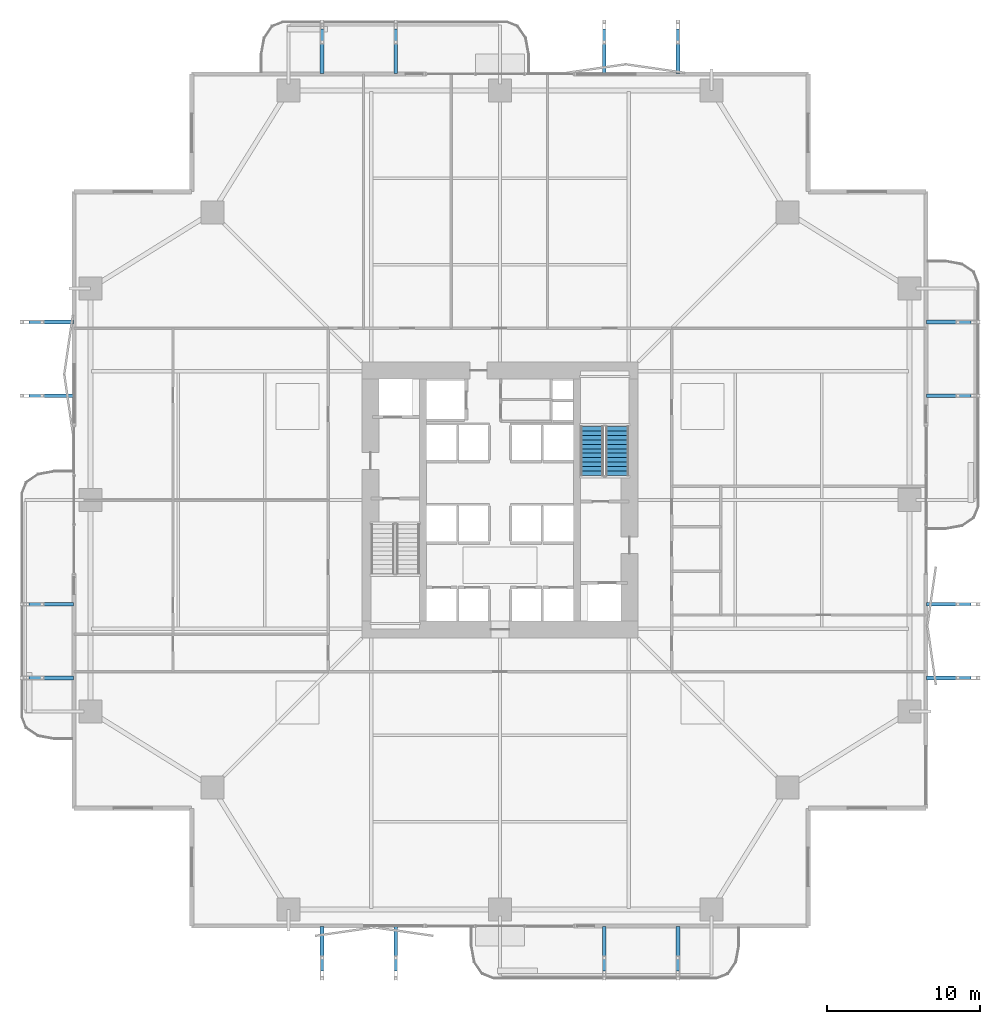
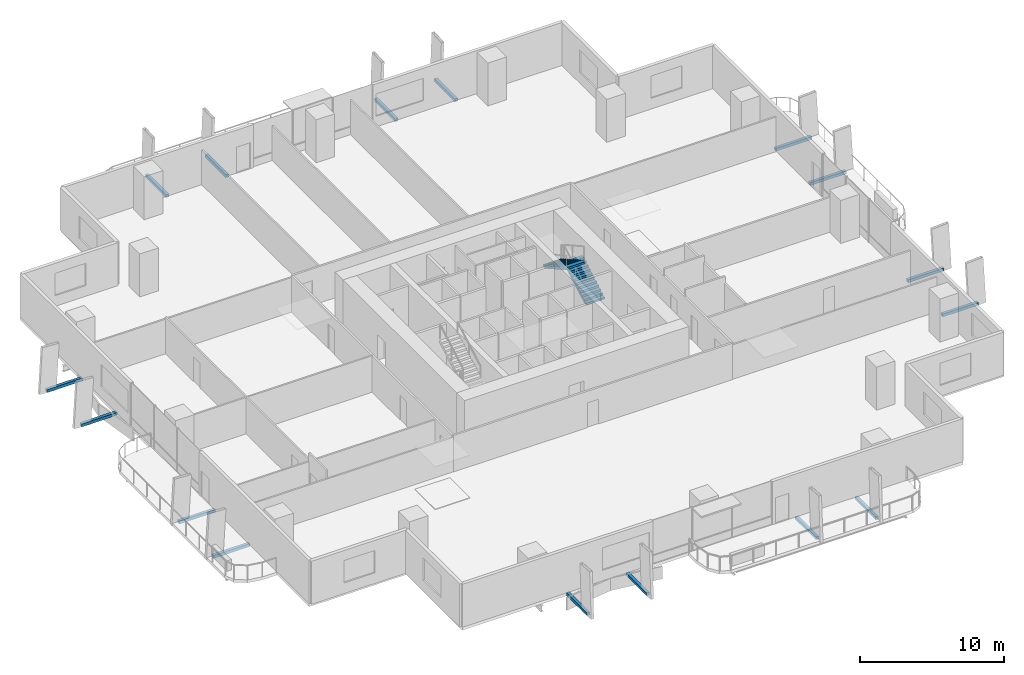
# One storey, part 20 of 24: 16 discrete accessories, 2 stair flights, 1 element without a shape of its own.
"""IFC4 building model written with IfcOpenShell, lengths in metres."""

from ifc_helpers import new_model, si_unit, direction, frame, origin, origin_2d, place, context, subcontext, project, spatial, polyline, rectangle, outline, extrude, material, layer, layer_set, type_object, element, aggregate, save


model = new_model("IFC4")

# Units and contexts
model_context = context("Model", 3, precision=1e-05, world=origin(), true_north=direction((0.0, 1.0)))
body_context = subcontext(model_context, "Body", "Model", "MODEL_VIEW")
ifc_project = project(units=[si_unit("LENGTHUNIT", "METRE"), si_unit("AREAUNIT", "SQUARE_METRE"), si_unit("VOLUMEUNIT", "CUBIC_METRE"), si_unit("PLANEANGLEUNIT", "RADIAN"), si_unit("MASSUNIT", "GRAM", prefix="KILO")], contexts=[model_context])

# Site, building, storey
site_placement = place(None, origin())
site = spatial("IfcSite", under=ifc_project, at=site_placement, CompositionType="ELEMENT")
building_placement = place(site_placement, origin())
building = spatial("IfcBuilding", under=site, at=building_placement, Name="Belovzor Exchange Tower", CompositionType="ELEMENT")
storey_placement = place(building_placement, frame((0.0, 0.0, 45.60009765625)))
storey = spatial("IfcBuildingStorey", under=building, at=storey_placement, Name="L10", CompositionType="ELEMENT", Elevation=45.60009765625)

# Stair, stair flights
ifc_material_1 = material(Name="Concrete C40/50", Category="concrete")
stair_type = type_object("IfcStairType", Name="Reinforced Concrete Dogleg Escape Stair 1350", PredefinedType="HALF_TURN_STAIR", material=ifc_material_1)
stair_placement = place(storey_placement, origin())
stair = element("IfcStair", 1, at=stair_placement, inside=storey, type_object=stair_type, Name="L10 ST-2", PredefinedType="HALF_TURN_STAIR")
ifc_material_2 = material(Name="Concrete C40/50", Category="concrete")
stair_flight_type = type_object("IfcStairFlightType", Name="Reinforced Concrete Stair Flight 1350", PredefinedType="STRAIGHT", material=ifc_material_2)
stair_flight_1_placement = place(storey_placement, frame((36.449951171875, 30.39990234375, 0.0), z_axis=(0.0, 0.0, 1.0), x_axis=(0.0, 1.0, 0.0)))
stair_flight_1 = element("IfcStairFlight", 2, at=stair_flight_1_placement, type_object=stair_flight_type, Name="ST-2 flight 1", NumberOfRisers=12, NumberOfTreads=11, PredefinedType="STRAIGHT", RiserHeight=0.1625, TreadLength=0.29, context=body_context, shape_type="SweptSolid", body=[
    extrude(outline(polyline([(0.0, 0.0), (0.0, 0.16259765625), (0.2900390625, 0.16259765625), (0.2900390625, 0.324951171875), (0.580078125, 0.324951171875), (0.580078125, 0.487548828125), (0.8701171875, 0.487548828125), (0.8701171875, 0.64990234375), (1.159912109375, 0.64990234375), (1.159912109375, 0.8125), (1.449951171875, 0.8125), (1.449951171875, 0.97509765625), (1.739990234375, 0.97509765625), (1.739990234375, 1.137451171875), (2.030029296875, 1.137451171875), (2.030029296875, 1.300048828125), (2.320068359375, 1.300048828125), (2.320068359375, 1.46240234375), (2.610107421875, 1.46240234375), (2.610107421875, 1.625), (2.89990234375, 1.625), (2.89990234375, 1.78759765625), (3.18994140625, 1.78759765625), (3.18994140625, 1.949951171875), (3.18994140625, 1.61572265625), (0.306640625, 0.0), (0.0, 0.0)])), frame((0.0, 0.75, 0.0), z_axis=(0.0, -1.0, 0.0), x_axis=(1.0, 0.0, 0.0)), (0.0, 0.0, 1.0), 1.5),
])
stair_flight_2_placement = place(storey_placement, frame((34.800048828125, 33.590087890625, 1.949951171875), z_axis=(0.0, 0.0, 1.0), x_axis=(0.0, -1.0, 0.0)))
stair_flight_2 = element("IfcStairFlight", 3, at=stair_flight_2_placement, type_object=stair_flight_type, Name="ST-2 flight 2", NumberOfRisers=12, NumberOfTreads=11, PredefinedType="STRAIGHT", RiserHeight=0.1625, TreadLength=0.29, context=body_context, shape_type="SweptSolid", body=[
    extrude(outline(polyline([(0.0, 0.0), (0.0, 0.16259765625), (0.2900390625, 0.16259765625), (0.2900390625, 0.324951171875), (0.580078125, 0.324951171875), (0.580078125, 0.487548828125), (0.8701171875, 0.487548828125), (0.8701171875, 0.64990234375), (1.159912109375, 0.64990234375), (1.159912109375, 0.8125), (1.449951171875, 0.8125), (1.449951171875, 0.97509765625), (1.739990234375, 0.97509765625), (1.739990234375, 1.137451171875), (2.030029296875, 1.137451171875), (2.030029296875, 1.300048828125), (2.320068359375, 1.300048828125), (2.320068359375, 1.46240234375), (2.610107421875, 1.46240234375), (2.610107421875, 1.625), (2.89990234375, 1.625), (2.89990234375, 1.78759765625), (3.18994140625, 1.78759765625), (3.18994140625, 1.949951171875), (3.18994140625, 1.61572265625), (0.306640625, 0.0), (0.0, 0.0)])), frame((0.0, 0.75, 0.0), z_axis=(0.0, -1.0, 0.0), x_axis=(1.0, 0.0, 0.0)), (0.0, 0.0, 1.0), 1.5),
])
aggregate(stair, [stair_flight_1, stair_flight_2])

# Discrete accessories
ifc_material_3 = material(Name="Stainless Steel Grade 316", Category="steel")
ifc_layer = layer(ifc_material_3, 0.179931640625)
ifc_layer_set = layer_set([ifc_layer], Name="Stainless Steel Grade 316")
discrete_accessory_type = type_object("IfcDiscreteAccessoryType", Name="Stainless Steel Facade Outrigger Fixing Bracket", PredefinedType="BRACKET", material=ifc_layer_set)
for number, where, z_axis, x_axis, name in (
    (4, (17.199951171875, -0.4609375, -0.2451171875), (0.0, 0.0, 1.0), (0.0, 1.0, 0.0), "BRK-FIN1 Sweeping Fin Outrigger Bracket L10 S1"),
    (5, (17.199951171875, 58.06005859375, -0.2451171875), (0.0, 0.0, 1.0), (0.0, 1.0, 0.0), "BRK-FIN1 Sweeping Fin Outrigger Bracket L10 N1"),
    (6, (-0.4609375, 17.199951171875, -0.2451171875), (0.0, 0.0, 1.0), (1.0, 0.0, 0.0), "BRK-FIN1 Sweeping Fin Outrigger Bracket L10 W1"),
    (7, (58.06005859375, 17.199951171875, -0.2451171875), (0.0, 0.0, 1.0), (1.0, 0.0, 0.0), "BRK-FIN1 Sweeping Fin Outrigger Bracket L10 E1"),
    (8, (22.0, -0.4609375, -0.2451171875), (0.0, 0.0, 1.0), (0.0, 1.0, 0.0), "BRK-FIN1 Sweeping Fin Outrigger Bracket L10 S2"),
    (9, (22.0, 58.06005859375, -0.2451171875), (0.0, 0.0, 1.0), (0.0, 1.0, 0.0), "BRK-FIN1 Sweeping Fin Outrigger Bracket L10 N2"),
    (10, (-0.4609375, 22.0, -0.2451171875), (0.0, 0.0, 1.0), (1.0, 0.0, 0.0), "BRK-FIN1 Sweeping Fin Outrigger Bracket L10 W2"),
    (11, (58.06005859375, 22.0, -0.2451171875), (0.0, 0.0, 1.0), (1.0, 0.0, 0.0), "BRK-FIN1 Sweeping Fin Outrigger Bracket L10 E2"),
    (12, (35.60009765625, -0.4609375, -0.2451171875), (0.0, 0.0, 1.0), (0.0, 1.0, 0.0), "BRK-FIN1 Sweeping Fin Outrigger Bracket L10 S3"),
    (13, (35.60009765625, 58.06005859375, -0.2451171875), (0.0, 0.0, 1.0), (0.0, 1.0, 0.0), "BRK-FIN1 Sweeping Fin Outrigger Bracket L10 N3"),
    (14, (-0.4609375, 35.60009765625, -0.2451171875), (0.0, 0.0, 1.0), (1.0, 0.0, 0.0), "BRK-FIN1 Sweeping Fin Outrigger Bracket L10 W3"),
    (15, (58.06005859375, 35.60009765625, -0.2451171875), (0.0, 0.0, 1.0), (1.0, 0.0, 0.0), "BRK-FIN1 Sweeping Fin Outrigger Bracket L10 E3"),
    (16, (40.39990234375, -0.4609375, -0.2451171875), (0.0, 0.0, 1.0), (0.0, 1.0, 0.0), "BRK-FIN1 Sweeping Fin Outrigger Bracket L10 S4"),
    (17, (40.39990234375, 58.06005859375, -0.2451171875), (0.0, 0.0, 1.0), (0.0, 1.0, 0.0), "BRK-FIN1 Sweeping Fin Outrigger Bracket L10 N4"),
    (18, (-0.4609375, 40.39990234375, -0.2451171875), (0.0, 0.0, 1.0), (1.0, 0.0, 0.0), "BRK-FIN1 Sweeping Fin Outrigger Bracket L10 W4"),
    (19, (58.06005859375, 40.39990234375, -0.2451171875), (0.0, 0.0, 1.0), (1.0, 0.0, 0.0), "BRK-FIN1 Sweeping Fin Outrigger Bracket L10 E4"),
):
    element("IfcDiscreteAccessory", number, at=place(storey_placement, frame(where, z_axis=z_axis, x_axis=x_axis)), inside=storey, type_object=discrete_accessory_type, Name=name, PredefinedType="BRACKET", context=body_context, shape_type="SweptSolid", body=[
        extrude(rectangle(XDim=2.881103515625, YDim=0.239990234375, at=origin_2d()), origin(), (0.0, 0.0, 1.0), 0.239990234375),
    ])

save(model, "model.ifc")
